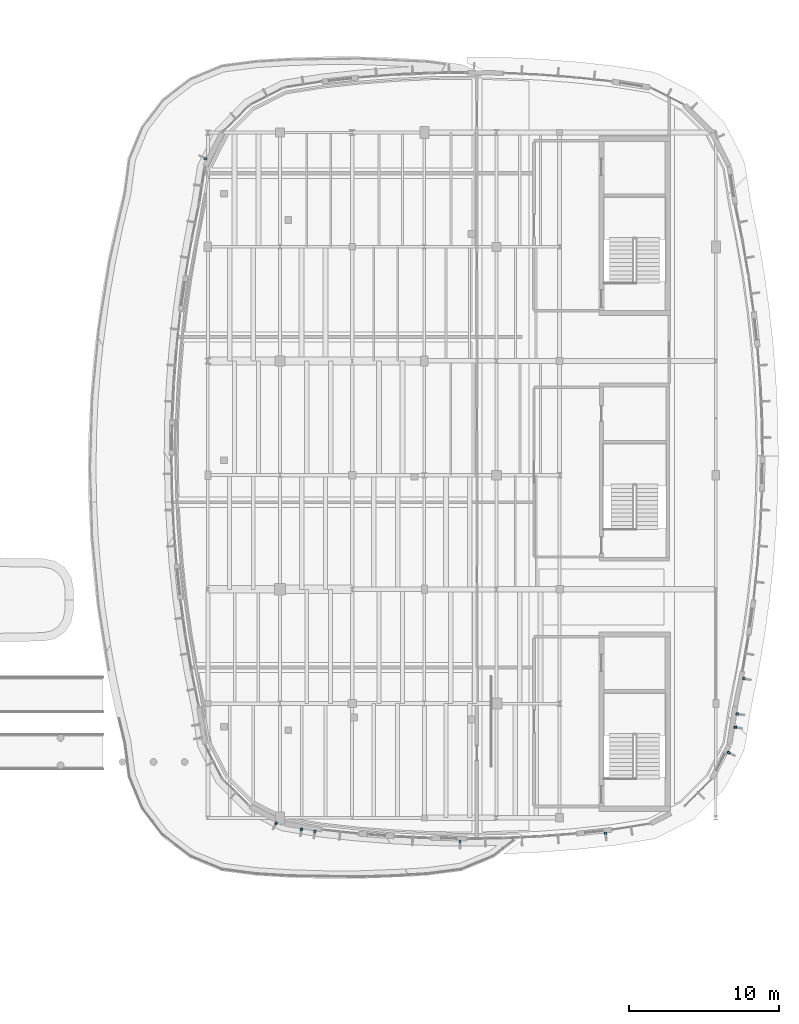
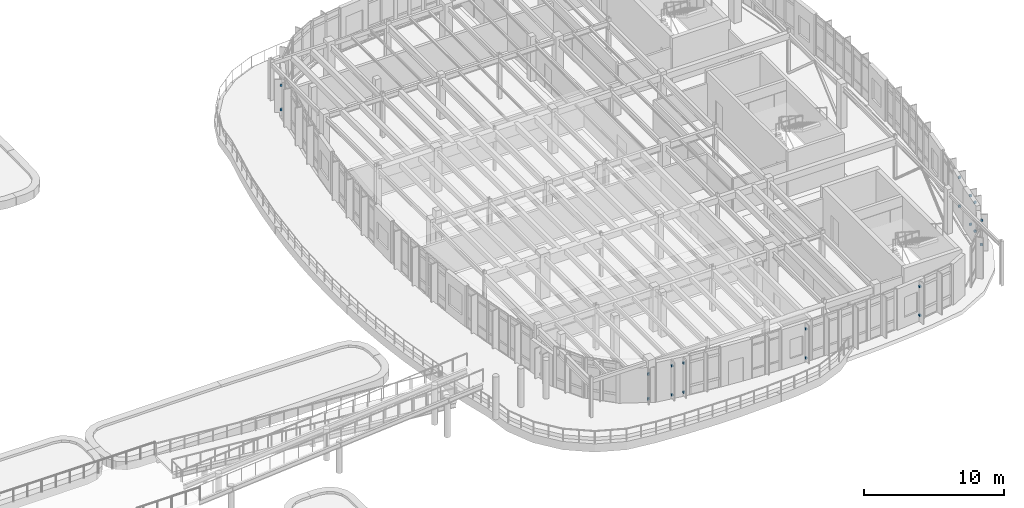
# One storey, part 94 of 111: 20 discrete accessories.
"""IFC4 building model written with IfcOpenShell, lengths in metres."""

from ifc_helpers import new_model, si_unit, direction, frame, origin, origin_2d, place, context, subcontext, project, spatial, rectangle, extrude, material, type_object, element, save


model = new_model("IFC4")

# Units and contexts
model_context = context("Model", 3, precision=1e-05, world=origin(), true_north=direction((0.0, 1.0)))
body_context = subcontext(model_context, "Body", "Model", "MODEL_VIEW")
ifc_project = project(units=[si_unit("LENGTHUNIT", "METRE"), si_unit("AREAUNIT", "SQUARE_METRE"), si_unit("VOLUMEUNIT", "CUBIC_METRE"), si_unit("PLANEANGLEUNIT", "RADIAN"), si_unit("MASSUNIT", "GRAM", prefix="KILO")], contexts=[model_context])

# Site, building, storey
site_placement = place(None, origin())
site = spatial("IfcSite", under=ifc_project, at=site_placement, CompositionType="ELEMENT")
building_placement = place(site_placement, origin())
building = spatial("IfcBuilding", under=site, at=building_placement, Name="Corveleigh Park Community Centre", CompositionType="ELEMENT")
storey_placement = place(building_placement, frame((0.0, 0.0, 4.800048828125)))
storey = spatial("IfcBuildingStorey", under=building, at=storey_placement, Name="L01", CompositionType="ELEMENT", Elevation=4.800048828125)

# Discrete accessories
ifc_material = material(Name="Stainless steel 316 balustrade", Category="steel")
discrete_accessory_type = type_object("IfcDiscreteAccessoryType", Name="ACC-BRK-STL", PredefinedType="BRACKET", material=ifc_material)
for number, where, z_axis, x_axis, name in (
    (1, (151.387939453125, 57.02099609375, 0.5), (0.0, 0.0, 1.0), (-0.01541483492, -0.999881184374, 0.0), "Fin fixing bracket lower"),
    (2, (151.387939453125, 57.02099609375, 3.037109375), (0.0, 0.0, 1.0), (-0.01541483492, -0.999881184374, 0.0), "Fin fixing bracket upper"),
    (3, (161.06298828125, 57.552001953125, 0.5), (0.0, 0.0, 1.0), (0.108005423213, -0.994150304811, 0.0), "Fin fixing bracket lower"),
    (4, (161.06298828125, 57.552001953125, 3.011962890625), (0.0, 0.0, 1.0), (0.108005423213, -0.994150304811, 0.0), "Fin fixing bracket upper"),
    (5, (169.256103515625, 62.93994140625, 0.5), (0.0, 0.0, 1.0), (0.89086471553, -0.454268707511, 0.0), "Fin fixing bracket lower"),
    (6, (169.256103515625, 62.93994140625, 2.64208984375), (0.0, 0.0, 1.0), (0.89086471553, -0.454268707511, 0.0), "Fin fixing bracket upper"),
    (7, (169.8349609375, 65.512939453125, 0.5), (0.0, 0.0, 1.0), (0.987733954743, -0.15614619639, 0.0), "Fin fixing bracket lower"),
    (8, (169.8349609375, 65.512939453125, 3.011962890625), (0.0, 0.0, 1.0), (0.987733954743, -0.15614619639, 0.0), "Fin fixing bracket upper"),
    (9, (169.695068359375, 64.6240234375, 0.5), (0.0, 0.0, 1.0), (0.987733954743, -0.15614619639, 0.0), "Fin fixing bracket lower"),
    (10, (169.695068359375, 64.6240234375, 3.011962890625), (0.0, 0.0, 1.0), (0.987733954743, -0.15614619639, 0.0), "Fin fixing bracket upper"),
    (11, (170.27490234375, 67.867919921875, 0.5), (0.0, 0.0, 1.0), (0.979799029422, -0.19998465427, 0.0), "Fin fixing bracket lower"),
    (12, (170.27490234375, 67.867919921875, 3.011962890625), (0.0, 0.0, 1.0), (0.979799029422, -0.19998465427, 0.0), "Fin fixing bracket upper"),
    (13, (134.43505859375, 102.464111328125, 0.5), (0.0, 0.0, 1.0), (-0.89086471553, 0.454268707511, 0.0), "Fin fixing bracket lower"),
    (14, (134.43505859375, 102.464111328125, 2.615966796875), (0.0, 0.0, 1.0), (-0.89086471553, 0.454268707511, 0.0), "Fin fixing bracket upper"),
    (15, (139.135986328125, 58.235107421875, 0.5), (0.0, 0.0, 1.0), (-0.454268707511, -0.89086471553, 0.0), "Fin fixing bracket lower"),
    (16, (139.135986328125, 58.235107421875, 2.64892578125), (0.0, 0.0, 1.0), (-0.454268707511, -0.89086471553, 0.0), "Fin fixing bracket upper"),
    (17, (141.715087890625, 57.68505859375, 0.5), (0.0, 0.0, 1.0), (-0.156207498942, -0.987724261762, 0.0), "Fin fixing bracket lower"),
    (18, (141.715087890625, 57.68505859375, 3.037109375), (0.0, 0.0, 1.0), (-0.156207498942, -0.987724261762, 0.0), "Fin fixing bracket upper"),
    (19, (140.825927734375, 57.824951171875, 0.5), (0.0, 0.0, 1.0), (-0.156207498942, -0.987724261762, 0.0), "Fin fixing bracket lower"),
    (20, (140.825927734375, 57.824951171875, 3.037109375), (0.0, 0.0, 1.0), (-0.156207498942, -0.987724261762, 0.0), "Fin fixing bracket upper"),
):
    element("IfcDiscreteAccessory", number, at=place(storey_placement, frame(where, z_axis=z_axis, x_axis=x_axis)), inside=storey, type_object=discrete_accessory_type, Name=name, PredefinedType="BRACKET", context=body_context, shape_type="SweptSolid", body=[
        extrude(rectangle(XDim=0.179931640625, YDim=0.139892578125, at=origin_2d()), origin(), (0.0, 0.0, 1.0), 0.169921875),
    ])

save(model, "model.ifc")
